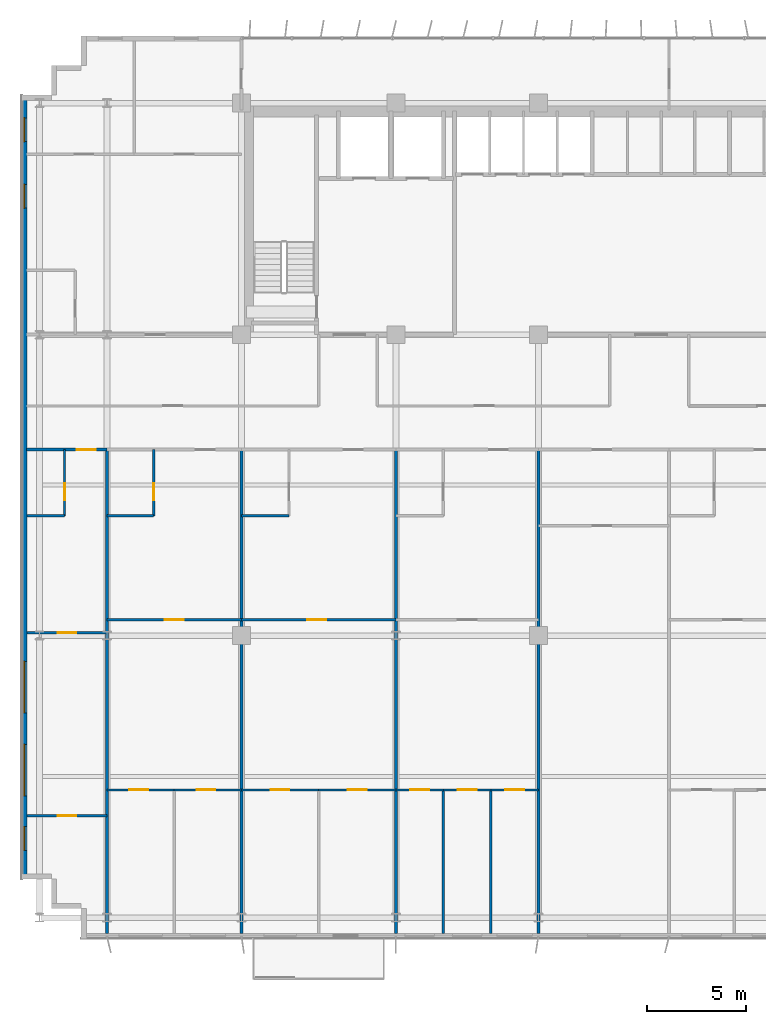
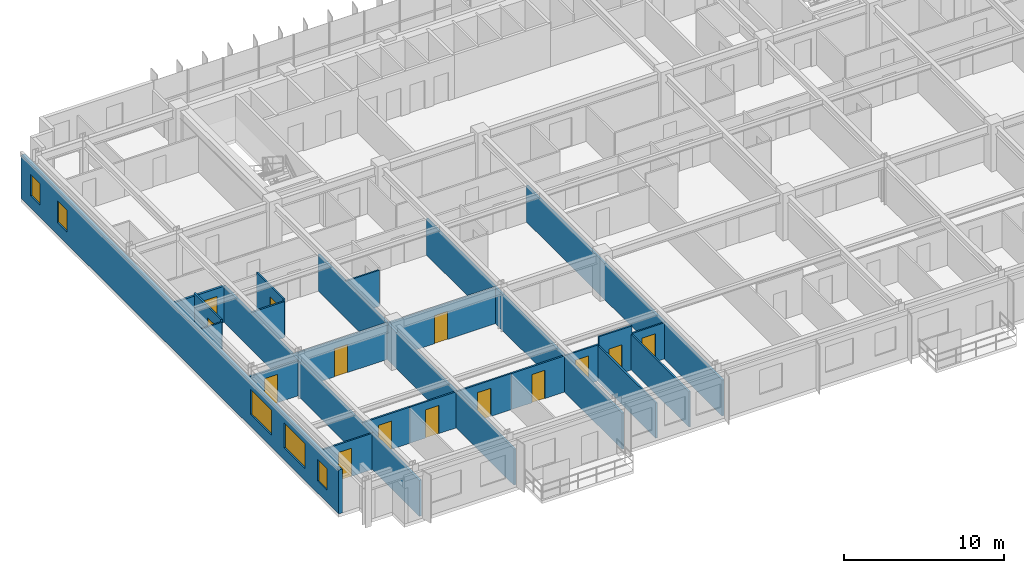
# One storey, part 15 of 24: 24 walls, 14 doors, 5 windows, 19 openings.
"""IFC4 building model written with IfcOpenShell, lengths in metres."""

import ifcopenshell
import ifcopenshell.guid

model = None  # the IFC model being written
_history = None  # IfcOwnerHistory: only IFC2X3 demands one
_inside = {}  # id of a spatial element -> (the spatial element, [elements in it])
_under = {}  # id of a project, library or spatial element -> (it, [spatial elements below it])
_declared = {}  # id of a project -> (the project, [libraries it declares])
_typed = {}  # id of a type object -> (the type object, [elements of that type])
_made_of = {}  # id of a material, layer set ... -> (it, [elements and type objects made of it])


def new_model(schema):
    """Start an empty IFC model of exactly this schema.

    Asked for "IFC4X3", IfcOpenShell would pick the latest addendum, in which some entities
    have other attributes; the version numbers below select the first issue.
    IFC2X3 requires an IfcOwnerHistory on every rooted entity: one is made here for all.
    """
    global model, _history
    if schema == "IFC4X3":
        model = ifcopenshell.file(schema_version=(4, 3, 0, 0))
    else:
        model = ifcopenshell.file(schema=schema)
    _inside.clear()
    _under.clear()
    _declared.clear()
    _typed.clear()
    _made_of.clear()
    _history = None
    if model.schema == "IFC2X3":
        org = make("IfcOrganization", Name="unknown")
        user = make(
            "IfcPersonAndOrganization",
            ThePerson=make("IfcPerson", FamilyName="unknown"),
            TheOrganization=org,
        )
        app = make(
            "IfcApplication",
            ApplicationDeveloper=org,
            Version="unknown",
            ApplicationFullName="unknown",
            ApplicationIdentifier="unknown",
        )
        _history = make(
            "IfcOwnerHistory",
            OwningUser=user,
            OwningApplication=app,
            ChangeAction="ADDED",
            CreationDate=0,
        )
    return model


def make(cls, **values):
    """One entity of the class cls with the attributes given. An attribute that is None is left unset."""
    return model.create_entity(
        cls, **{name: value for name, value in values.items() if value is not None}
    )


def rooted(cls, **values):
    """An entity with a GlobalId (a new one), such as an element, a storey or a relation."""
    return make(cls, GlobalId=ifcopenshell.guid.new(), OwnerHistory=_history, **values)


def si_unit(unit_type, name, prefix=None):
    """IfcSIUnit, for example si_unit("LENGTHUNIT", "METRE", prefix="MILLI")."""
    return make("IfcSIUnit", UnitType=unit_type, Prefix=prefix, Name=name)


def assignment(units):
    """IfcUnitAssignment: the units of a project."""
    return None if units is None else make("IfcUnitAssignment", Units=units)


def point(xyz):
    """IfcCartesianPoint."""
    return None if xyz is None else make("IfcCartesianPoint", Coordinates=xyz)


def direction(xyz):
    """IfcDirection."""
    return None if xyz is None else make("IfcDirection", DirectionRatios=xyz)


def frame(location, z_axis=None, x_axis=None):
    """IfcAxis2Placement3D, a coordinate frame: its origin and axes. An axis left out is left unset."""
    return make(
        "IfcAxis2Placement3D",
        Location=point(location),
        Axis=direction(z_axis),
        RefDirection=direction(x_axis),
    )


def frame_2d(location, x_axis=None):
    """IfcAxis2Placement2D, a coordinate frame in the plane: its origin and x axis."""
    return make(
        "IfcAxis2Placement2D", Location=point(location), RefDirection=direction(x_axis)
    )


def origin():
    """The frame at (0, 0, 0) with its axes left unset."""
    return frame((0.0, 0.0, 0.0))


def place(relative_to, where):
    """IfcLocalPlacement: puts the frame where relative to a parent placement (None: the world)."""
    return make(
        "IfcLocalPlacement", PlacementRelTo=relative_to, RelativePlacement=where
    )


def context(
    kind, dimensions, precision=None, world=None, true_north=None, identifier=None
):
    """IfcGeometricRepresentationContext, for example the 3D "Model" context."""
    return make(
        "IfcGeometricRepresentationContext",
        ContextIdentifier=identifier,
        ContextType=kind,
        CoordinateSpaceDimension=dimensions,
        Precision=precision,
        WorldCoordinateSystem=world,
        TrueNorth=true_north,
    )


def subcontext(parent, identifier, kind, view, scale=None):
    """IfcGeometricRepresentationSubContext, for example "Body" below "Model"."""
    return make(
        "IfcGeometricRepresentationSubContext",
        ContextIdentifier=identifier,
        ContextType=kind,
        ParentContext=parent,
        TargetScale=scale,
        TargetView=view,
    )


def project(units=None, contexts=None):
    """IfcProject with its units and contexts."""
    return rooted(
        "IfcProject",
        Name="project",
        RepresentationContexts=contexts,
        UnitsInContext=assignment(units),
    )


def spatial(cls, under=None, at=None, **own):
    """A site, building, storey or space (cls), placed at a placement, below another one or the project."""
    s = rooted(cls, ObjectPlacement=at, **own)
    if under is not None:
        _under.setdefault(under.id(), (under, []))[1].append(s)
    return s


def profile(cls, at=None, kind="AREA", **sizes):
    """A parametric profile (cls). Its sizes go by their IFC names, for example OverallWidth=200.0."""
    return make(cls, ProfileType=kind, Position=at, **sizes)


def rectangle(**sizes):
    """IfcRectangleProfileDef."""
    return profile("IfcRectangleProfileDef", **sizes)


def extrude(swept, where, along, depth):
    """IfcExtrudedAreaSolid: the profile swept, set in the frame where, extruded along a direction by depth."""
    return make(
        "IfcExtrudedAreaSolid",
        SweptArea=swept,
        Position=where,
        ExtrudedDirection=direction(along),
        Depth=depth,
    )


def shape(context_of_items, identifier, shape_type, items):
    """IfcShapeRepresentation: the items that make up one representation, for example the "Body"."""
    return make(
        "IfcShapeRepresentation",
        ContextOfItems=context_of_items,
        RepresentationIdentifier=identifier,
        RepresentationType=shape_type,
        Items=items,
    )


def source(mapping_origin, context_of_items, identifier, shape_type, items):
    """IfcRepresentationMap: a shape defined once, which mapped items show again and again."""
    return make(
        "IfcRepresentationMap",
        MappingOrigin=mapping_origin,
        MappedRepresentation=shape(context_of_items, identifier, shape_type, items),
    )


def transform(
    local_origin,
    x_axis=None,
    y_axis=None,
    z_axis=None,
    scale=None,
    scale2=None,
    scale3=None,
    uniform=True,
):
    """IfcCartesianTransformationOperator3D, or its non-uniform kind. x_axis, y_axis, z_axis: its Axis1, 2, 3."""
    if uniform:
        return make(
            "IfcCartesianTransformationOperator3D",
            Axis1=direction(x_axis),
            Axis2=direction(y_axis),
            LocalOrigin=point(local_origin),
            Scale=scale,
            Axis3=direction(z_axis),
        )
    return make(
        "IfcCartesianTransformationOperator3DnonUniform",
        Axis1=direction(x_axis),
        Axis2=direction(y_axis),
        LocalOrigin=point(local_origin),
        Scale=scale,
        Axis3=direction(z_axis),
        Scale2=scale2,
        Scale3=scale3,
    )


def mapped(mapping_source, mapping_target):
    """IfcMappedItem: shows the shape of a source again, moved by a transform."""
    return make(
        "IfcMappedItem", MappingSource=mapping_source, MappingTarget=mapping_target
    )


def material(Name=None, Category=None):
    """IfcMaterial."""
    return make("IfcMaterial", Name=Name, Category=Category)


def layer(
    of_material, thickness, ventilated=None, Name=None, Category=None, Priority=None
):
    """IfcMaterialLayer: one layer of a wall or slab, of a material (None: an air gap)."""
    return make(
        "IfcMaterialLayer",
        Material=of_material,
        LayerThickness=thickness,
        IsVentilated=ventilated,
        Name=Name,
        Category=Category,
        Priority=Priority,
    )


def layer_set(layers, Name=None):
    """IfcMaterialLayerSet."""
    return make("IfcMaterialLayerSet", MaterialLayers=layers, LayerSetName=Name)


def made_of(thing, what):
    """Note that an element or type object is made of a material, layer set ...; save() writes the relation."""
    if what is not None:
        _made_of.setdefault(what.id(), (what, []))[1].append(thing)
    return thing


def type_object(cls, material=None, **own):
    """A type object (cls), such as IfcWallType, which elements share."""
    return made_of(rooted(cls, **own), material)


def element(
    cls,
    number,
    at=None,
    inside=None,
    cuts=None,
    type_object=None,
    material=None,
    context=None,
    identifier="Body",
    shape_type=None,
    held_by="IfcProductDefinitionShape",
    body=None,
    shapes=None,
    **own,
):
    """One element of the class cls, such as IfcWall. Its Tag is "e" and its number.

    at: its placement. inside: the storey or other place that contains it. cuts: it is an
    opening in that element (IfcRelVoidsElement). A single representation is given by context,
    identifier, shape_type and body (its items); several are given by shapes. held_by: the class
    of the entity that holds the representations. save() writes the other relations.
    """
    e = rooted(cls, Tag="e%d" % number, ObjectPlacement=at, **own)
    if body is not None:
        shapes = [shape(context, identifier, shape_type, body)]
    if shapes is not None:
        e.Representation = make(held_by, Representations=shapes)
    if inside is not None:
        _inside.setdefault(inside.id(), (inside, []))[1].append(e)
    if cuts is not None:
        rooted(
            "IfcRelVoidsElement", RelatingBuildingElement=cuts, RelatedOpeningElement=e
        )
    if type_object is not None:
        _typed.setdefault(type_object.id(), (type_object, []))[1].append(e)
    return made_of(e, material)


def fill(opening, filler):
    """IfcRelFillsElement: the door or window that sits in an opening."""
    return rooted(
        "IfcRelFillsElement",
        RelatingOpeningElement=opening,
        RelatedBuildingElement=filler,
    )


def aggregate(whole, parts):
    """IfcRelAggregates: a whole, such as a stair, and the parts it consists of."""
    return rooted("IfcRelAggregates", RelatingObject=whole, RelatedObjects=parts)


def save(model, path):
    """Write the relations noted so far, then the file.

    IfcRelAggregates (storeys below a building ...), IfcRelContainedInSpatialStructure (elements
    in a storey), IfcRelDefinesByType, IfcRelAssociatesMaterial and IfcRelDeclares: one each for
    every whole, place, type object, material and project.
    """
    for whole, parts in _under.values():
        aggregate(whole, parts)
    for where, things in _inside.values():
        rooted(
            "IfcRelContainedInSpatialStructure",
            RelatedElements=things,
            RelatingStructure=where,
        )
    for kind, things in _typed.values():
        rooted("IfcRelDefinesByType", RelatedObjects=things, RelatingType=kind)
    for what, things in _made_of.values():
        rooted("IfcRelAssociatesMaterial", RelatedObjects=things, RelatingMaterial=what)
    for by, libraries in _declared.values():
        rooted("IfcRelDeclares", RelatingContext=by, RelatedDefinitions=libraries)
    model.write(path)


model = new_model("IFC4")

# Units and contexts
model_context = context("Model", 3, precision=1e-05, world=origin(), true_north=direction((0.0, 1.0)))
body_context = subcontext(model_context, "Body", "Model", "MODEL_VIEW")
ifc_project = project(units=[si_unit("LENGTHUNIT", "METRE"), si_unit("AREAUNIT", "SQUARE_METRE"), si_unit("VOLUMEUNIT", "CUBIC_METRE"), si_unit("PLANEANGLEUNIT", "RADIAN"), si_unit("MASSUNIT", "GRAM", prefix="KILO")], contexts=[model_context])

# Site, building, storey
site_placement = place(None, origin())
site = spatial("IfcSite", under=ifc_project, at=site_placement, CompositionType="ELEMENT")
building_placement = place(site_placement, origin())
building = spatial("IfcBuilding", under=site, at=building_placement, Name="Trelvane Seafront Commons", CompositionType="ELEMENT")
storey_placement = place(building_placement, frame((0.0, 0.0, 27.10009765625)))
storey = spatial("IfcBuildingStorey", under=building, at=storey_placement, Name="L06", CompositionType="ELEMENT", Elevation=27.10009765625)

# Wall, openings, windows
ifc_material_1 = material(Name="Precast concrete C40/50", Category="concrete")
ifc_layer_1 = layer(ifc_material_1, 0.260009765625, Name="ARCH-WALL-EXT260")
ifc_layer_set_1 = layer_set([ifc_layer_1], Name="Precast concrete C40/50")
wall_type_1 = type_object("IfcWallType", Name="ARCH-WALL-EXT260", PredefinedType="SOLIDWALL", material=ifc_layer_set_1)
wall_1_placement = place(storey_placement, frame((4.6298828125, 5.89990234375, 0.0), z_axis=(0.0, 0.0, 1.0), x_axis=(0.0, 1.0, 0.0)))
wall_1 = element("IfcWall", 1, at=wall_1_placement, inside=storey, type_object=wall_type_1, Name="EW-L06-00071", PredefinedType="SOLIDWALL", context=body_context, shape_type="SweptSolid", body=[
    extrude(rectangle(XDim=39.60009765625, YDim=0.260009765625, at=frame_2d((19.800048828125, 0.0))), origin(), (0.0, 0.0, 1.0), 3.33984375),
])
opening_1_placement = place(wall_1_placement, frame((1.449951171875, 0.0, 0.919921875)))
opening_1 = element("IfcOpeningElement", 2, at=opening_1_placement, cuts=wall_1, Name="Opening W05", PredefinedType="OPENING", context=body_context, shape_type="SweptSolid", body=[
    extrude(rectangle(XDim=1.199951171875, YDim=1.64990234375, at=frame_2d((0.60009765625, 0.824951171875))), frame((0.0, 0.139892578125, 0.0), z_axis=(0.0, -1.0, 0.0), x_axis=(1.0, 0.0, 0.0)), (0.0, 0.0, 1.0), 0.280029296875),
])
opening_2_placement = place(wall_1_placement, frame((4.199951171875, 0.0, 0.919921875)))
opening_2 = element("IfcOpeningElement", 3, at=opening_2_placement, cuts=wall_1, Name="Opening W04", PredefinedType="OPENING", context=body_context, shape_type="SweptSolid", body=[
    extrude(rectangle(XDim=2.60009765625, YDim=1.89990234375, at=frame_2d((1.300048828125, 0.949951171875))), frame((0.0, 0.139892578125, 0.0), z_axis=(0.0, -1.0, 0.0), x_axis=(1.0, 0.0, 0.0)), (0.0, 0.0, 1.0), 0.280029296875),
])
opening_3_placement = place(wall_1_placement, frame((8.39990234375, 0.0, 0.919921875)))
opening_3 = element("IfcOpeningElement", 4, at=opening_3_placement, cuts=wall_1, Name="Opening W04", PredefinedType="OPENING", context=body_context, shape_type="SweptSolid", body=[
    extrude(rectangle(XDim=2.60009765625, YDim=1.89990234375, at=frame_2d((1.300048828125, 0.949951171875))), frame((0.0, 0.139892578125, 0.0), z_axis=(0.0, -1.0, 0.0), x_axis=(1.0, 0.0, 0.0)), (0.0, 0.0, 1.0), 0.280029296875),
])
opening_4_placement = place(wall_1_placement, frame((33.89990234375, 0.0, 0.919921875)))
opening_4 = element("IfcOpeningElement", 5, at=opening_4_placement, cuts=wall_1, Name="Opening W05", PredefinedType="OPENING", context=body_context, shape_type="SweptSolid", body=[
    extrude(rectangle(XDim=1.199951171875, YDim=1.64990234375, at=frame_2d((0.60009765625, 0.824951171875))), frame((0.0, 0.139892578125, 0.0), z_axis=(0.0, -1.0, 0.0), x_axis=(1.0, 0.0, 0.0)), (0.0, 0.0, 1.0), 0.280029296875),
])
opening_5_placement = place(wall_1_placement, frame((37.25, 0.0, 0.919921875)))
opening_5 = element("IfcOpeningElement", 6, at=opening_5_placement, cuts=wall_1, Name="Opening W05", PredefinedType="OPENING", context=body_context, shape_type="SweptSolid", body=[
    extrude(rectangle(XDim=1.199951171875, YDim=1.64990234375, at=frame_2d((0.60009765625, 0.824951171875))), frame((0.0, 0.139892578125, 0.0), z_axis=(0.0, -1.0, 0.0), x_axis=(1.0, 0.0, 0.0)), (0.0, 0.0, 1.0), 0.280029296875),
])
ifc_material_2 = material(Name="Low-E coastal double glazing", Category="glass")
window_type_1 = type_object("IfcWindowType", Name="ARCH-WIN-W04", PartitioningType="SINGLE_PANEL", PredefinedType="WINDOW", material=ifc_material_2)
shared_shape_1 = source(origin(), body_context, "Body", "SweptSolid", [
    extrude(rectangle(XDim=2.60009765625, YDim=1.89990234375, at=frame_2d((1.300048828125, 0.949951171875))), frame((0.0, 0.030029296875, 0.0), z_axis=(0.0, -1.0, 0.0), x_axis=(1.0, 0.0, 0.0)), (0.0, 0.0, 1.0), 0.06005859375),
])
window_1_placement = place(opening_2_placement, origin())
window_1 = element("IfcWindow", 7, at=window_1_placement, inside=storey, type_object=window_type_1, Name="WIN-L06-EW-00105", OverallHeight=1.89990234375, OverallWidth=2.60009765625, PartitioningType="SINGLE_PANEL", PredefinedType="WINDOW", context=body_context, shape_type="MappedRepresentation", body=[
    mapped(shared_shape_1, transform((0.0, 0.0, 0.0), x_axis=(1.0, 0.0, 0.0), y_axis=(0.0, 1.0, 0.0), z_axis=(0.0, 0.0, 1.0), scale=1.0)),
])
fill(opening_2, window_1)
window_2_placement = place(opening_3_placement, origin())
window_2 = element("IfcWindow", 8, at=window_2_placement, inside=storey, type_object=window_type_1, Name="WIN-L06-EW-00106", OverallHeight=1.89990234375, OverallWidth=2.60009765625, PartitioningType="SINGLE_PANEL", PredefinedType="WINDOW", context=body_context, shape_type="MappedRepresentation", body=[
    mapped(shared_shape_1, transform((0.0, 0.0, 0.0), x_axis=(1.0, 0.0, 0.0), y_axis=(0.0, 1.0, 0.0), z_axis=(0.0, 0.0, 1.0), scale=1.0)),
])
fill(opening_3, window_2)
window_type_2 = type_object("IfcWindowType", Name="ARCH-WIN-W05", PartitioningType="SINGLE_PANEL", PredefinedType="WINDOW", material=ifc_material_2)
shared_shape_2 = source(origin(), body_context, "Body", "SweptSolid", [
    extrude(rectangle(XDim=1.199951171875, YDim=1.64990234375, at=frame_2d((0.60009765625, 0.824951171875))), frame((0.0, 0.030029296875, 0.0), z_axis=(0.0, -1.0, 0.0), x_axis=(1.0, 0.0, 0.0)), (0.0, 0.0, 1.0), 0.06005859375),
])
window_3_placement = place(opening_1_placement, origin())
window_3 = element("IfcWindow", 9, at=window_3_placement, inside=storey, type_object=window_type_2, Name="WIN-L06-EW-00104", OverallHeight=1.64990234375, OverallWidth=1.199951171875, PartitioningType="SINGLE_PANEL", PredefinedType="WINDOW", context=body_context, shape_type="MappedRepresentation", body=[
    mapped(shared_shape_2, transform((0.0, 0.0, 0.0), x_axis=(1.0, 0.0, 0.0), y_axis=(0.0, 1.0, 0.0), z_axis=(0.0, 0.0, 1.0), scale=1.0)),
])
fill(opening_1, window_3)
window_4_placement = place(opening_4_placement, origin())
window_4 = element("IfcWindow", 10, at=window_4_placement, inside=storey, type_object=window_type_2, Name="WIN-L06-EW-00107", OverallHeight=1.64990234375, OverallWidth=1.199951171875, PartitioningType="SINGLE_PANEL", PredefinedType="WINDOW", context=body_context, shape_type="MappedRepresentation", body=[
    mapped(shared_shape_2, transform((0.0, 0.0, 0.0), x_axis=(1.0, 0.0, 0.0), y_axis=(0.0, 1.0, 0.0), z_axis=(0.0, 0.0, 1.0), scale=1.0)),
])
fill(opening_4, window_4)
window_5_placement = place(opening_5_placement, origin())
window_5 = element("IfcWindow", 11, at=window_5_placement, inside=storey, type_object=window_type_2, Name="WIN-L06-EW-00108", OverallHeight=1.64990234375, OverallWidth=1.199951171875, PartitioningType="SINGLE_PANEL", PredefinedType="WINDOW", context=body_context, shape_type="MappedRepresentation", body=[
    mapped(shared_shape_2, transform((0.0, 0.0, 0.0), x_axis=(1.0, 0.0, 0.0), y_axis=(0.0, 1.0, 0.0), z_axis=(0.0, 0.0, 1.0), scale=1.0)),
])
fill(opening_5, window_5)

# Wall, opening, door
ifc_material_3 = material(Name="Gypsum Drywall Acoustic Partition")
ifc_layer_2 = layer(ifc_material_3, 0.1201171875, Name="ARCH-WALL-PART120")
ifc_layer_set_2 = layer_set([ifc_layer_2], Name="Gypsum Drywall Acoustic Partition")
wall_type_2 = type_object("IfcWallType", Name="ARCH-WALL-PART120", PredefinedType="PARTITIONING", material=ifc_layer_set_2)
wall_2_placement = place(storey_placement, frame((4.760009765625, 18.35009765625, 0.0), z_axis=(0.0, 0.0, 1.0), x_axis=(1.0, 0.0, 0.0)))
wall_2 = element("IfcWall", 12, at=wall_2_placement, inside=storey, type_object=wall_type_2, Name="W-L06-U1-KL-073", PredefinedType="PARTITIONING", context=body_context, shape_type="SweptSolid", body=[
    extrude(rectangle(XDim=4.0400390625, YDim=0.1201171875, at=frame_2d((2.02001953125, 0.0))), origin(), (0.0, 0.0, 1.0), 2.68994140625),
])
opening_6_placement = place(wall_2_placement, frame((1.544921875, 0.0, 0.0)))
opening_6 = element("IfcOpeningElement", 13, at=opening_6_placement, cuts=wall_2, Name="Opening D-L06-33", PredefinedType="OPENING", context=body_context, shape_type="SweptSolid", body=[
    extrude(rectangle(XDim=0.949951171875, YDim=2.14990234375, at=frame_2d((0.47509765625, 1.074951171875))), frame((0.0, 0.070068359375, 0.0), z_axis=(0.0, -1.0, 0.0), x_axis=(1.0, 0.0, 0.0)), (0.0, 0.0, 1.0), 0.14013671875),
])
ifc_material_4 = material(Name="Acoustic timber door leaf", Category="wood")
door_type_1 = type_object("IfcDoorType", Name="ARCH-DR-INT950", OperationType="NOTDEFINED", PredefinedType="DOOR", material=ifc_material_4)
shared_shape_3 = source(origin(), body_context, "Body", "SweptSolid", [
    extrude(rectangle(XDim=0.949951171875, YDim=2.14990234375, at=frame_2d((0.47509765625, 1.074951171875))), frame((0.0, 0.02490234375, 0.0), z_axis=(0.0, -1.0, 0.0), x_axis=(1.0, 0.0, 0.0)), (0.0, 0.0, 1.0), 0.050048828125),
])
door_1_placement = place(opening_6_placement, origin())
door_1 = element("IfcDoor", 14, at=door_1_placement, inside=storey, type_object=door_type_1, Name="L06 Door 33", OperationType="SINGLE_SWING_LEFT", OverallHeight=2.14990234375, OverallWidth=0.949951171875, PredefinedType="DOOR", context=body_context, shape_type="MappedRepresentation", body=[
    mapped(shared_shape_3, transform((0.0, 0.0, 0.0), x_axis=(1.0, 0.0, 0.0), y_axis=(0.0, 1.0, 0.0), z_axis=(0.0, 0.0, 1.0), scale=1.0)),
])
fill(opening_6, door_1)

wall_3_placement = place(storey_placement, frame((6.659912109375, 24.25, 0.0), z_axis=(0.0, 0.0, 1.0), x_axis=(0.0, 1.0, 0.0)))
wall_3 = element("IfcWall", 15, at=wall_3_placement, inside=storey, type_object=wall_type_2, Name="W-L06-U1-BE-074", PredefinedType="PARTITIONING", context=body_context, shape_type="SweptSolid", body=[
    extrude(rectangle(XDim=3.35009765625, YDim=0.1201171875, at=frame_2d((1.675048828125, 0.0))), origin(), (0.0, 0.0, 1.0), 2.93994140625),
])
opening_7_placement = place(wall_3_placement, frame((0.800048828125, 0.0, 0.0)))
opening_7 = element("IfcOpeningElement", 16, at=opening_7_placement, cuts=wall_3, Name="Opening D-L06-34", PredefinedType="OPENING", context=body_context, shape_type="SweptSolid", body=[
    extrude(rectangle(XDim=0.85009765625, YDim=2.10009765625, at=frame_2d((0.425048828125, 1.050048828125))), frame((0.0, 0.070068359375, 0.0), z_axis=(0.0, -1.0, 0.0), x_axis=(1.0, 0.0, 0.0)), (0.0, 0.0, 1.0), 0.14013671875),
])
door_type_2 = type_object("IfcDoorType", Name="ARCH-DR-INT850", OperationType="NOTDEFINED", PredefinedType="DOOR", material=ifc_material_4)
shared_shape_4 = source(origin(), body_context, "Body", "SweptSolid", [
    extrude(rectangle(XDim=0.85009765625, YDim=2.10009765625, at=frame_2d((0.425048828125, 1.050048828125))), frame((0.0, 0.02490234375, 0.0), z_axis=(0.0, -1.0, 0.0), x_axis=(1.0, 0.0, 0.0)), (0.0, 0.0, 1.0), 0.050048828125),
])
door_2_placement = place(opening_7_placement, origin())
door_2 = element("IfcDoor", 17, at=door_2_placement, inside=storey, type_object=door_type_2, Name="L06 Door 34", OperationType="SINGLE_SWING_RIGHT", OverallHeight=2.10009765625, OverallWidth=0.85009765625, PredefinedType="DOOR", context=body_context, shape_type="MappedRepresentation", body=[
    mapped(shared_shape_4, transform((0.0, 0.0, 0.0), x_axis=(1.0, 0.0, 0.0), y_axis=(0.0, 1.0, 0.0), z_axis=(0.0, 0.0, 1.0), scale=1.0)),
])
fill(opening_7, door_2)

# Wall
wall_4_placement = place(storey_placement, frame((4.760009765625, 24.25, 0.0), z_axis=(0.0, 0.0, 1.0), x_axis=(1.0, 0.0, 0.0)))
element("IfcWall", 18, at=wall_4_placement, inside=storey, type_object=wall_type_2, Name="W-L06-U1-BS-075", PredefinedType="PARTITIONING", context=body_context, shape_type="SweptSolid", body=[
    extrude(rectangle(XDim=1.89990234375, YDim=0.1201171875, at=frame_2d((0.949951171875, 0.0))), origin(), (0.0, 0.0, 1.0), 2.751953125),
])

# Wall, opening, door
wall_5_placement = place(storey_placement, frame((4.760009765625, 9.10009765625, 0.0), z_axis=(0.0, 0.0, 1.0), x_axis=(1.0, 0.0, 0.0)))
wall_5 = element("IfcWall", 19, at=wall_5_placement, inside=storey, type_object=wall_type_2, Name="W-L06-U1-YM-1-077", PredefinedType="PARTITIONING", context=body_context, shape_type="SweptSolid", body=[
    extrude(rectangle(XDim=4.0400390625, YDim=0.1201171875, at=frame_2d((2.02001953125, 0.0))), origin(), (0.0, 0.0, 1.0), 2.751953125),
])
opening_8_placement = place(wall_5_placement, frame((1.544921875, 0.0, 0.0)))
opening_8 = element("IfcOpeningElement", 20, at=opening_8_placement, cuts=wall_5, Name="Opening D-L06-36", PredefinedType="OPENING", context=body_context, shape_type="SweptSolid", body=[
    extrude(rectangle(XDim=0.949951171875, YDim=2.14990234375, at=frame_2d((0.47509765625, 1.074951171875))), frame((0.0, 0.070068359375, 0.0), z_axis=(0.0, -1.0, 0.0), x_axis=(1.0, 0.0, 0.0)), (0.0, 0.0, 1.0), 0.14013671875),
])
door_3_placement = place(opening_8_placement, origin())
door_3 = element("IfcDoor", 21, at=door_3_placement, inside=storey, type_object=door_type_1, Name="L06 Door 36", OperationType="SINGLE_SWING_RIGHT", OverallHeight=2.14990234375, OverallWidth=0.949951171875, PredefinedType="DOOR", context=body_context, shape_type="MappedRepresentation", body=[
    mapped(shared_shape_3, transform((0.0, 0.0, 0.0), x_axis=(1.0, 0.0, 0.0), y_axis=(0.0, 1.0, 0.0), z_axis=(0.0, 0.0, 1.0), scale=1.0)),
])
fill(opening_8, door_3)

wall_6_placement = place(storey_placement, frame((8.800048828125, 19.0, 0.0), z_axis=(0.0, 0.0, 1.0), x_axis=(1.0, 0.0, 0.0)))
wall_6 = element("IfcWall", 22, at=wall_6_placement, inside=storey, type_object=wall_type_2, Name="W-L06-U2-KL-078", PredefinedType="PARTITIONING", context=body_context, shape_type="SweptSolid", body=[
    extrude(rectangle(XDim=6.800048828125, YDim=0.1201171875, at=frame_2d((3.39990234375, 0.0))), origin(), (0.0, 0.0, 1.0), 2.751953125),
])
opening_9_placement = place(wall_6_placement, frame((2.925048828125, 0.0, 0.0)))
opening_9 = element("IfcOpeningElement", 23, at=opening_9_placement, cuts=wall_6, Name="Opening D-L06-37", PredefinedType="OPENING", context=body_context, shape_type="SweptSolid", body=[
    extrude(rectangle(XDim=0.949951171875, YDim=2.14990234375, at=frame_2d((0.47509765625, 1.074951171875))), frame((0.0, 0.070068359375, 0.0), z_axis=(0.0, -1.0, 0.0), x_axis=(1.0, 0.0, 0.0)), (0.0, 0.0, 1.0), 0.14013671875),
])
door_4_placement = place(opening_9_placement, origin())
door_4 = element("IfcDoor", 24, at=door_4_placement, inside=storey, type_object=door_type_1, Name="L06 Door 37", OperationType="SINGLE_SWING_LEFT", OverallHeight=2.14990234375, OverallWidth=0.949951171875, PredefinedType="DOOR", context=body_context, shape_type="MappedRepresentation", body=[
    mapped(shared_shape_3, transform((0.0, 0.0, 0.0), x_axis=(1.0, 0.0, 0.0), y_axis=(0.0, 1.0, 0.0), z_axis=(0.0, 0.0, 1.0), scale=1.0)),
])
fill(opening_9, door_4)

wall_7_placement = place(storey_placement, frame((11.162109375, 24.25, 0.0), z_axis=(0.0, 0.0, 1.0), x_axis=(0.0, 1.0, 0.0)))
wall_7 = element("IfcWall", 25, at=wall_7_placement, inside=storey, type_object=wall_type_2, Name="W-L06-U2-BE-079", PredefinedType="PARTITIONING", context=body_context, shape_type="SweptSolid", body=[
    extrude(rectangle(XDim=3.35009765625, YDim=0.1201171875, at=frame_2d((1.675048828125, 0.0))), origin(), (0.0, 0.0, 1.0), 2.93994140625),
])
opening_10_placement = place(wall_7_placement, frame((0.800048828125, 0.0, 0.0)))
opening_10 = element("IfcOpeningElement", 26, at=opening_10_placement, cuts=wall_7, Name="Opening D-L06-38", PredefinedType="OPENING", context=body_context, shape_type="SweptSolid", body=[
    extrude(rectangle(XDim=0.85009765625, YDim=2.10009765625, at=frame_2d((0.425048828125, 1.050048828125))), frame((0.0, 0.070068359375, 0.0), z_axis=(0.0, -1.0, 0.0), x_axis=(1.0, 0.0, 0.0)), (0.0, 0.0, 1.0), 0.14013671875),
])
door_5_placement = place(opening_10_placement, origin())
door_5 = element("IfcDoor", 27, at=door_5_placement, inside=storey, type_object=door_type_2, Name="L06 Door 38", OperationType="SINGLE_SWING_RIGHT", OverallHeight=2.10009765625, OverallWidth=0.85009765625, PredefinedType="DOOR", context=body_context, shape_type="MappedRepresentation", body=[
    mapped(shared_shape_4, transform((0.0, 0.0, 0.0), x_axis=(1.0, 0.0, 0.0), y_axis=(0.0, 1.0, 0.0), z_axis=(0.0, 0.0, 1.0), scale=1.0)),
])
fill(opening_10, door_5)

# Wall
wall_8_placement = place(storey_placement, frame((8.800048828125, 24.25, 0.0), z_axis=(0.0, 0.0, 1.0), x_axis=(1.0, 0.0, 0.0)))
element("IfcWall", 28, at=wall_8_placement, inside=storey, type_object=wall_type_2, Name="W-L06-U2-BS-080", PredefinedType="PARTITIONING", context=body_context, shape_type="SweptSolid", body=[
    extrude(rectangle(XDim=2.362060546875, YDim=0.1201171875, at=frame_2d((1.18115234375, 0.0))), origin(), (0.0, 0.0, 1.0), 2.751953125),
])

# Wall, opening, door
wall_9_placement = place(storey_placement, frame((8.800048828125, 10.39990234375, 0.0), z_axis=(0.0, 0.0, 1.0), x_axis=(1.0, 0.0, 0.0)))
wall_9 = element("IfcWall", 29, at=wall_9_placement, inside=storey, type_object=wall_type_2, Name="W-L06-U2-YM-1-082", PredefinedType="PARTITIONING", context=body_context, shape_type="SweptSolid", body=[
    extrude(rectangle(XDim=3.39990234375, YDim=0.1201171875, at=frame_2d((1.699951171875, 0.0))), origin(), (0.0, 0.0, 1.0), 2.751953125),
])
opening_11_placement = place(wall_9_placement, frame((1.131103515625, 0.0, 0.0)))
opening_11 = element("IfcOpeningElement", 30, at=opening_11_placement, cuts=wall_9, Name="Opening D-L06-40", PredefinedType="OPENING", context=body_context, shape_type="SweptSolid", body=[
    extrude(rectangle(XDim=0.949951171875, YDim=2.14990234375, at=frame_2d((0.47509765625, 1.074951171875))), frame((0.0, 0.070068359375, 0.0), z_axis=(0.0, -1.0, 0.0), x_axis=(1.0, 0.0, 0.0)), (0.0, 0.0, 1.0), 0.14013671875),
])
door_6_placement = place(opening_11_placement, origin())
door_6 = element("IfcDoor", 31, at=door_6_placement, inside=storey, type_object=door_type_1, Name="L06 Door 40", OperationType="SINGLE_SWING_RIGHT", OverallHeight=2.14990234375, OverallWidth=0.949951171875, PredefinedType="DOOR", context=body_context, shape_type="MappedRepresentation", body=[
    mapped(shared_shape_3, transform((0.0, 0.0, 0.0), x_axis=(1.0, 0.0, 0.0), y_axis=(0.0, 1.0, 0.0), z_axis=(0.0, 0.0, 1.0), scale=1.0)),
])
fill(opening_11, door_6)

wall_10_placement = place(storey_placement, frame((12.199951171875, 10.39990234375, 0.0), z_axis=(0.0, 0.0, 1.0), x_axis=(1.0, 0.0, 0.0)))
wall_10 = element("IfcWall", 32, at=wall_10_placement, inside=storey, type_object=wall_type_2, Name="W-L06-U2-YM-2-083", PredefinedType="PARTITIONING", context=body_context, shape_type="SweptSolid", body=[
    extrude(rectangle(XDim=3.400146484375, YDim=0.1201171875, at=frame_2d((1.7001953125, 0.0))), origin(), (0.0, 0.0, 1.0), 2.751953125),
])
opening_12_placement = place(wall_10_placement, frame((1.131103515625, 0.0, 0.0)))
opening_12 = element("IfcOpeningElement", 33, at=opening_12_placement, cuts=wall_10, Name="Opening D-L06-41", PredefinedType="OPENING", context=body_context, shape_type="SweptSolid", body=[
    extrude(rectangle(XDim=0.949951171875, YDim=2.14990234375, at=frame_2d((0.47509765625, 1.074951171875))), frame((0.0, 0.070068359375, 0.0), z_axis=(0.0, -1.0, 0.0), x_axis=(1.0, 0.0, 0.0)), (0.0, 0.0, 1.0), 0.14013671875),
])
door_7_placement = place(opening_12_placement, origin())
door_7 = element("IfcDoor", 34, at=door_7_placement, inside=storey, type_object=door_type_1, Name="L06 Door 41", OperationType="SINGLE_SWING_LEFT", OverallHeight=2.14990234375, OverallWidth=0.949951171875, PredefinedType="DOOR", context=body_context, shape_type="MappedRepresentation", body=[
    mapped(shared_shape_3, transform((0.0, 0.0, 0.0), x_axis=(1.0, 0.0, 0.0), y_axis=(0.0, 1.0, 0.0), z_axis=(0.0, 0.0, 1.0), scale=1.0)),
])
fill(opening_12, door_7)

wall_11_placement = place(storey_placement, frame((15.60009765625, 19.0, 0.0), z_axis=(0.0, 0.0, 1.0), x_axis=(1.0, 0.0, 0.0)))
wall_11 = element("IfcWall", 35, at=wall_11_placement, inside=storey, type_object=wall_type_2, Name="W-L06-U3-KL-085", PredefinedType="PARTITIONING", context=body_context, shape_type="SweptSolid", body=[
    extrude(rectangle(XDim=7.7998046875, YDim=0.1201171875, at=frame_2d((3.89990234375, 0.0))), origin(), (0.0, 0.0, 1.0), 2.751953125),
])
opening_13_placement = place(wall_11_placement, frame((3.3330078125, 0.0, 0.0)))
opening_13 = element("IfcOpeningElement", 36, at=opening_13_placement, cuts=wall_11, Name="Opening D-L06-42", PredefinedType="OPENING", context=body_context, shape_type="SweptSolid", body=[
    extrude(rectangle(XDim=0.949951171875, YDim=2.14990234375, at=frame_2d((0.47509765625, 1.074951171875))), frame((0.0, 0.070068359375, 0.0), z_axis=(0.0, -1.0, 0.0), x_axis=(1.0, 0.0, 0.0)), (0.0, 0.0, 1.0), 0.14013671875),
])
door_8_placement = place(opening_13_placement, origin())
door_8 = element("IfcDoor", 37, at=door_8_placement, inside=storey, type_object=door_type_1, Name="L06 Door 42", OperationType="SINGLE_SWING_RIGHT", OverallHeight=2.14990234375, OverallWidth=0.949951171875, PredefinedType="DOOR", context=body_context, shape_type="MappedRepresentation", body=[
    mapped(shared_shape_3, transform((0.0, 0.0, 0.0), x_axis=(1.0, 0.0, 0.0), y_axis=(0.0, 1.0, 0.0), z_axis=(0.0, 0.0, 1.0), scale=1.0)),
])
fill(opening_13, door_8)

# Wall
wall_12_placement = place(storey_placement, frame((15.60009765625, 24.25, 0.0), z_axis=(0.0, 0.0, 1.0), x_axis=(1.0, 0.0, 0.0)))
element("IfcWall", 38, at=wall_12_placement, inside=storey, type_object=wall_type_2, Name="W-L06-U3-BS-087", PredefinedType="PARTITIONING", context=body_context, shape_type="SweptSolid", body=[
    extrude(rectangle(XDim=2.39990234375, YDim=0.1201171875, at=frame_2d((1.199951171875, 0.0))), origin(), (0.0, 0.0, 1.0), 2.751953125),
])

# Wall, opening, door
wall_13_placement = place(storey_placement, frame((15.60009765625, 10.39990234375, 0.0), z_axis=(0.0, 0.0, 1.0), x_axis=(1.0, 0.0, 0.0)))
wall_13 = element("IfcWall", 39, at=wall_13_placement, inside=storey, type_object=wall_type_2, Name="W-L06-U3-YM-1-089", PredefinedType="PARTITIONING", context=body_context, shape_type="SweptSolid", body=[
    extrude(rectangle(XDim=3.89990234375, YDim=0.1201171875, at=frame_2d((1.949951171875, 0.0))), origin(), (0.0, 0.0, 1.0), 2.751953125),
])
opening_14_placement = place(wall_13_placement, frame((1.47509765625, 0.0, 0.0)))
opening_14 = element("IfcOpeningElement", 40, at=opening_14_placement, cuts=wall_13, Name="Opening D-L06-45", PredefinedType="OPENING", context=body_context, shape_type="SweptSolid", body=[
    extrude(rectangle(XDim=0.949951171875, YDim=2.14990234375, at=frame_2d((0.47509765625, 1.074951171875))), frame((0.0, 0.070068359375, 0.0), z_axis=(0.0, -1.0, 0.0), x_axis=(1.0, 0.0, 0.0)), (0.0, 0.0, 1.0), 0.14013671875),
])
door_9_placement = place(opening_14_placement, origin())
door_9 = element("IfcDoor", 41, at=door_9_placement, inside=storey, type_object=door_type_1, Name="L06 Door 45", OperationType="SINGLE_SWING_LEFT", OverallHeight=2.14990234375, OverallWidth=0.949951171875, PredefinedType="DOOR", context=body_context, shape_type="MappedRepresentation", body=[
    mapped(shared_shape_3, transform((0.0, 0.0, 0.0), x_axis=(1.0, 0.0, 0.0), y_axis=(0.0, 1.0, 0.0), z_axis=(0.0, 0.0, 1.0), scale=1.0)),
])
fill(opening_14, door_9)

wall_14_placement = place(storey_placement, frame((19.5, 10.39990234375, 0.0), z_axis=(0.0, 0.0, 1.0), x_axis=(1.0, 0.0, 0.0)))
wall_14 = element("IfcWall", 42, at=wall_14_placement, inside=storey, type_object=wall_type_2, Name="W-L06-U3-YM-2-090", PredefinedType="PARTITIONING", context=body_context, shape_type="SweptSolid", body=[
    extrude(rectangle(XDim=3.89990234375, YDim=0.1201171875, at=frame_2d((1.949951171875, 0.0))), origin(), (0.0, 0.0, 1.0), 2.751953125),
])
opening_15_placement = place(wall_14_placement, frame((1.47509765625, 0.0, 0.0)))
opening_15 = element("IfcOpeningElement", 43, at=opening_15_placement, cuts=wall_14, Name="Opening D-L06-46", PredefinedType="OPENING", context=body_context, shape_type="SweptSolid", body=[
    extrude(rectangle(XDim=0.949951171875, YDim=2.14990234375, at=frame_2d((0.47509765625, 1.074951171875))), frame((0.0, 0.070068359375, 0.0), z_axis=(0.0, -1.0, 0.0), x_axis=(1.0, 0.0, 0.0)), (0.0, 0.0, 1.0), 0.14013671875),
])
door_10_placement = place(opening_15_placement, origin())
door_10 = element("IfcDoor", 44, at=door_10_placement, inside=storey, type_object=door_type_1, Name="L06 Door 46", OperationType="SINGLE_SWING_RIGHT", OverallHeight=2.14990234375, OverallWidth=0.949951171875, PredefinedType="DOOR", context=body_context, shape_type="MappedRepresentation", body=[
    mapped(shared_shape_3, transform((0.0, 0.0, 0.0), x_axis=(1.0, 0.0, 0.0), y_axis=(0.0, 1.0, 0.0), z_axis=(0.0, 0.0, 1.0), scale=1.0)),
])
fill(opening_15, door_10)

wall_15_placement = place(storey_placement, frame((23.39990234375, 10.39990234375, 0.0), z_axis=(0.0, 0.0, 1.0), x_axis=(1.0, 0.0, 0.0)))
wall_15 = element("IfcWall", 45, at=wall_15_placement, inside=storey, type_object=wall_type_2, Name="W-L06-U4-YM-1-096", PredefinedType="PARTITIONING", context=body_context, shape_type="SweptSolid", body=[
    extrude(rectangle(XDim=2.400146484375, YDim=0.1201171875, at=frame_2d((1.2001953125, 0.0))), origin(), (0.0, 0.0, 1.0), 2.751953125),
])
opening_16_placement = place(wall_15_placement, frame((0.72509765625, 0.0, 0.0)))
opening_16 = element("IfcOpeningElement", 46, at=opening_16_placement, cuts=wall_15, Name="Opening D-L06-50", PredefinedType="OPENING", context=body_context, shape_type="SweptSolid", body=[
    extrude(rectangle(XDim=0.949951171875, YDim=2.14990234375, at=frame_2d((0.47509765625, 1.074951171875))), frame((0.0, 0.070068359375, 0.0), z_axis=(0.0, -1.0, 0.0), x_axis=(1.0, 0.0, 0.0)), (0.0, 0.0, 1.0), 0.14013671875),
])
door_11_placement = place(opening_16_placement, origin())
door_11 = element("IfcDoor", 47, at=door_11_placement, inside=storey, type_object=door_type_1, Name="L06 Door 50", OperationType="SINGLE_SWING_RIGHT", OverallHeight=2.14990234375, OverallWidth=0.949951171875, PredefinedType="DOOR", context=body_context, shape_type="MappedRepresentation", body=[
    mapped(shared_shape_3, transform((0.0, 0.0, 0.0), x_axis=(1.0, 0.0, 0.0), y_axis=(0.0, 1.0, 0.0), z_axis=(0.0, 0.0, 1.0), scale=1.0)),
])
fill(opening_16, door_11)

wall_16_placement = place(storey_placement, frame((25.800048828125, 10.39990234375, 0.0), z_axis=(0.0, 0.0, 1.0), x_axis=(1.0, 0.0, 0.0)))
wall_16 = element("IfcWall", 48, at=wall_16_placement, inside=storey, type_object=wall_type_2, Name="W-L06-U4-YM-2-097", PredefinedType="PARTITIONING", context=body_context, shape_type="SweptSolid", body=[
    extrude(rectangle(XDim=2.39990234375, YDim=0.1201171875, at=frame_2d((1.199951171875, 0.0))), origin(), (0.0, 0.0, 1.0), 3.33984375),
])
opening_17_placement = place(wall_16_placement, frame((0.72509765625, 0.0, 0.0)))
opening_17 = element("IfcOpeningElement", 49, at=opening_17_placement, cuts=wall_16, Name="Opening D-L06-51", PredefinedType="OPENING", context=body_context, shape_type="SweptSolid", body=[
    extrude(rectangle(XDim=0.949951171875, YDim=2.14990234375, at=frame_2d((0.47509765625, 1.074951171875))), frame((0.0, 0.070068359375, 0.0), z_axis=(0.0, -1.0, 0.0), x_axis=(1.0, 0.0, 0.0)), (0.0, 0.0, 1.0), 0.14013671875),
])
door_12_placement = place(opening_17_placement, origin())
door_12 = element("IfcDoor", 50, at=door_12_placement, inside=storey, type_object=door_type_1, Name="L06 Door 51", OperationType="SINGLE_SWING_LEFT", OverallHeight=2.14990234375, OverallWidth=0.949951171875, PredefinedType="DOOR", context=body_context, shape_type="MappedRepresentation", body=[
    mapped(shared_shape_3, transform((0.0, 0.0, 0.0), x_axis=(1.0, 0.0, 0.0), y_axis=(0.0, 1.0, 0.0), z_axis=(0.0, 0.0, 1.0), scale=1.0)),
])
fill(opening_17, door_12)

# Wall
wall_17_placement = place(storey_placement, frame((25.800048828125, 3.14501953125, 0.0), z_axis=(0.0, 0.0, 1.0), x_axis=(0.0, 1.0, 0.0)))
element("IfcWall", 51, at=wall_17_placement, inside=storey, type_object=wall_type_2, Name="W-L06-U4-BDV-1-098", PredefinedType="PARTITIONING", context=body_context, shape_type="SweptSolid", body=[
    extrude(rectangle(XDim=7.2548828125, YDim=0.1201171875, at=frame_2d((3.62744140625, 0.0))), origin(), (0.0, 0.0, 1.0), 2.68994140625),
])

# Wall, opening, door
wall_18_placement = place(storey_placement, frame((28.199951171875, 10.39990234375, 0.0), z_axis=(0.0, 0.0, 1.0), x_axis=(1.0, 0.0, 0.0)))
wall_18 = element("IfcWall", 52, at=wall_18_placement, inside=storey, type_object=wall_type_2, Name="W-L06-U4-YM-3-099", PredefinedType="PARTITIONING", context=body_context, shape_type="SweptSolid", body=[
    extrude(rectangle(XDim=2.400146484375, YDim=0.1201171875, at=frame_2d((1.2001953125, 0.0))), origin(), (0.0, 0.0, 1.0), 2.751953125),
])
opening_18_placement = place(wall_18_placement, frame((0.72509765625, 0.0, 0.0)))
opening_18 = element("IfcOpeningElement", 53, at=opening_18_placement, cuts=wall_18, Name="Opening D-L06-52", PredefinedType="OPENING", context=body_context, shape_type="SweptSolid", body=[
    extrude(rectangle(XDim=0.949951171875, YDim=2.14990234375, at=frame_2d((0.47509765625, 1.074951171875))), frame((0.0, 0.070068359375, 0.0), z_axis=(0.0, -1.0, 0.0), x_axis=(1.0, 0.0, 0.0)), (0.0, 0.0, 1.0), 0.14013671875),
])
door_13_placement = place(opening_18_placement, origin())
door_13 = element("IfcDoor", 54, at=door_13_placement, inside=storey, type_object=door_type_1, Name="L06 Door 52", OperationType="SINGLE_SWING_RIGHT", OverallHeight=2.14990234375, OverallWidth=0.949951171875, PredefinedType="DOOR", context=body_context, shape_type="MappedRepresentation", body=[
    mapped(shared_shape_3, transform((0.0, 0.0, 0.0), x_axis=(1.0, 0.0, 0.0), y_axis=(0.0, 1.0, 0.0), z_axis=(0.0, 0.0, 1.0), scale=1.0)),
])
fill(opening_18, door_13)

# Walls
wall_19_placement = place(storey_placement, frame((28.199951171875, 3.14501953125, 0.0), z_axis=(0.0, 0.0, 1.0), x_axis=(0.0, 1.0, 0.0)))
element("IfcWall", 55, at=wall_19_placement, inside=storey, type_object=wall_type_2, Name="W-L06-U4-BDV-2-100", PredefinedType="PARTITIONING", context=body_context, shape_type="SweptSolid", body=[
    extrude(rectangle(XDim=7.2548828125, YDim=0.1201171875, at=frame_2d((3.62744140625, 0.0))), origin(), (0.0, 0.0, 1.0), 2.68994140625),
])
ifc_layer_3 = layer(ifc_material_3, 0.14990234375, Name="ARCH-WALL-PART150")
ifc_layer_set_3 = layer_set([ifc_layer_3], Name="Gypsum Drywall Acoustic Partition")
wall_type_3 = type_object("IfcWallType", Name="ARCH-WALL-PART150", PredefinedType="PARTITIONING", material=ifc_layer_set_3)
for number, where, z_axis, x_axis, name in (
    (56, (8.800048828125, 3.14501953125, 0.0), (0.0, 0.0, 1.0), (0.0, 1.0, 0.0), "W-L06-PW-1-064"),
    (57, (15.60009765625, 3.14501953125, 0.0), (0.0, 0.0, 1.0), (0.0, 1.0, 0.0), "W-L06-PW-2-065"),
    (58, (23.39990234375, 3.14501953125, 0.0), (0.0, 0.0, 1.0), (0.0, 1.0, 0.0), "W-L06-PW-3-066"),
    (59, (30.60009765625, 3.14501953125, 0.0), (0.0, 0.0, 1.0), (0.0, 1.0, 0.0), "W-L06-PW-4-067"),
):
    element("IfcWall", number, at=place(storey_placement, frame(where, z_axis=z_axis, x_axis=x_axis)), inside=storey, type_object=wall_type_3, Name=name, PredefinedType="PARTITIONING", context=body_context, shape_type="SweptSolid", body=[
        extrude(rectangle(XDim=24.455078125, YDim=0.14990234375, at=frame_2d((12.2275390625, 0.0))), origin(), (0.0, 0.0, 1.0), 2.751953125),
    ])

# Wall, opening, door
wall_20_placement = place(storey_placement, frame((4.7451171875, 27.60009765625, 0.0), z_axis=(0.0, 0.0, 1.0), x_axis=(1.0, 0.0, 0.0)))
wall_20 = element("IfcWall", 60, at=wall_20_placement, inside=storey, type_object=wall_type_3, Name="W-L06-CS-BAY-1-076", PredefinedType="PARTITIONING", context=body_context, shape_type="SweptSolid", body=[
    extrude(rectangle(XDim=4.054931640625, YDim=0.14990234375, at=frame_2d((2.02734375, 0.0))), origin(), (0.0, 0.0, 1.0), 2.751953125),
])
opening_19_placement = place(wall_20_placement, frame((2.5439453125, 0.0, 0.0)))
opening_19 = element("IfcOpeningElement", 61, at=opening_19_placement, cuts=wall_20, Name="Opening FD-L06-35", PredefinedType="OPENING", context=body_context, shape_type="SweptSolid", body=[
    extrude(rectangle(XDim=0.949951171875, YDim=2.14990234375, at=frame_2d((0.47509765625, 1.074951171875))), frame((0.0, 0.0849609375, 0.0), z_axis=(0.0, -1.0, 0.0), x_axis=(1.0, 0.0, 0.0)), (0.0, 0.0, 1.0), 0.169921875),
])
ifc_material_5 = material(Name="Powder-coated aluminium frame", Category="aluminium")
door_type_3 = type_object("IfcDoorType", Name="ARCH-DR-FD60-950", OperationType="NOTDEFINED", PredefinedType="DOOR", material=ifc_material_5)
door_14_placement = place(opening_19_placement, origin())
door_14 = element("IfcDoor", 62, at=door_14_placement, inside=storey, type_object=door_type_3, Name="L06 Unit 01 Entrance Door", OperationType="SINGLE_SWING_LEFT", OverallHeight=2.14990234375, OverallWidth=0.949951171875, PredefinedType="DOOR", context=body_context, shape_type="MappedRepresentation", body=[
    mapped(shared_shape_3, transform((0.0, 0.0, 0.0), x_axis=(1.0, 0.0, 0.0), y_axis=(0.0, 1.0, 0.0), z_axis=(0.0, 0.0, 1.0), scale=1.0)),
])
fill(opening_19, door_14)

save(model, "model.ifc")
